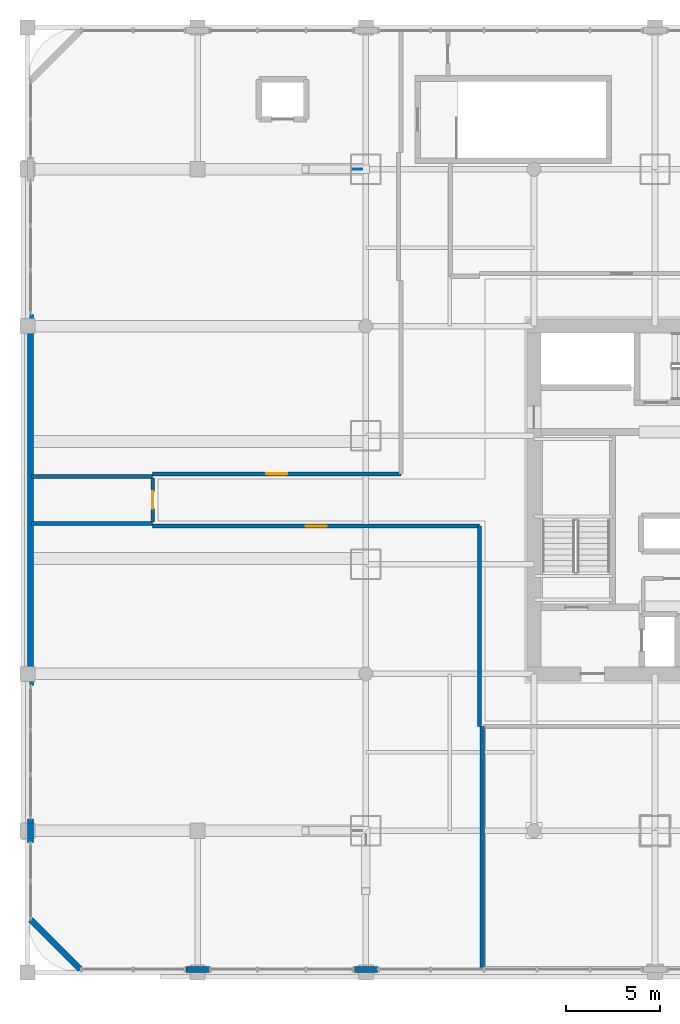
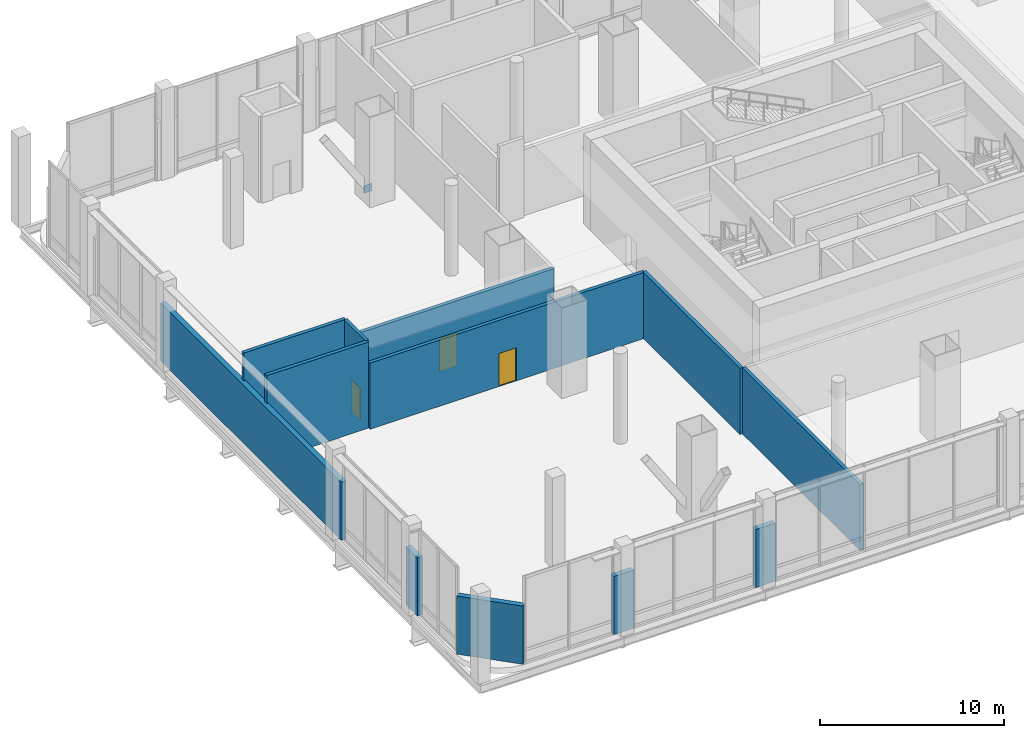
# One storey, part 26 of 38: 12 walls, 3 doors, 1 plate, 3 openings.
"""IFC4 building model written with IfcOpenShell, lengths in metres."""

from ifc_helpers import new_model, si_unit, direction, frame, frame_2d, origin, origin_2d, place, context, subcontext, project, spatial, rectangle, extrude, material, layer, layer_set, type_object, element, fill, save


model = new_model("IFC4")

# Units and contexts
model_context = context("Model", 3, precision=1e-05, world=origin(), true_north=direction((0.0, 1.0)))
body_context = subcontext(model_context, "Body", "Model", "MODEL_VIEW")
ifc_project = project(units=[si_unit("LENGTHUNIT", "METRE"), si_unit("AREAUNIT", "SQUARE_METRE"), si_unit("VOLUMEUNIT", "CUBIC_METRE"), si_unit("PLANEANGLEUNIT", "RADIAN"), si_unit("MASSUNIT", "GRAM", prefix="KILO")], contexts=[model_context])

# Site, building, storey
site_placement = place(None, origin())
site = spatial("IfcSite", under=ifc_project, at=site_placement, CompositionType="ELEMENT")
building_placement = place(site_placement, origin())
building = spatial("IfcBuilding", under=site, at=building_placement, Name="Punatoya Terracotta Tower", CompositionType="ELEMENT")
storey_placement = place(building_placement, frame((0.0, 0.0, 22.199951171875)))
storey = spatial("IfcBuildingStorey", under=building, at=storey_placement, Name="L04", CompositionType="ELEMENT", Elevation=22.199951171875)

# Plate
ifc_material_1 = material(Name="Steel S460", Category="steel")
ifc_layer_1 = layer(ifc_material_1, 0.031982421875)
ifc_layer_set_1 = layer_set([ifc_layer_1], Name="Steel S460")
plate_type = type_object("IfcPlateType", Name="PLT-END-32", PredefinedType="USERDEFINED", material=ifc_layer_set_1)
plate_placement = place(storey_placement, frame((-19.548095703125, 17.5, 0.4560546875), z_axis=(0.0, 0.0, 1.0), x_axis=(1.0, 0.0, 0.0)))
element("IfcPlate", 1, at=plate_placement, inside=storey, type_object=plate_type, Name="L05 Knee-Strut Base Gusset Plate W2", ObjectType="FLANGE_PLATE", PredefinedType="USERDEFINED", context=body_context, shape_type="SweptSolid", body=[
    extrude(rectangle(XDim=0.5, YDim=0.031982421875, at=origin_2d()), origin(), (0.0, 0.0, 1.0), 0.5),
])

# Walls
ifc_material_2 = material(Name="Precast concrete C40/50", Category="concrete")
ifc_layer_2 = layer(ifc_material_2, 0.320068359375)
ifc_layer_set_2 = layer_set([ifc_layer_2], Name="Precast concrete C40/50")
wall_type_1 = type_object("IfcWallType", Name="WL-EXT-320", PredefinedType="SOLIDWALL", material=ifc_layer_set_2)
wall_1_placement = place(storey_placement, frame((-28.6201171875, -24.840087890625, 0.0), z_axis=(0.0, 0.0, 1.0), x_axis=(1.0, 0.0, 0.0)))
element("IfcWall", 2, at=wall_1_placement, inside=storey, type_object=wall_type_1, Name="L04 South Column Cladding Pier 1", PredefinedType="SOLIDWALL", context=body_context, shape_type="SweptSolid", body=[
    extrude(rectangle(XDim=1.240234375, YDim=0.320068359375, at=frame_2d((0.6201171875, 0.0))), origin(), (0.0, 0.0, 1.0), 3.864013671875),
])
wall_2_placement = place(storey_placement, frame((-19.719970703125, -24.840087890625, 0.0), z_axis=(0.0, 0.0, 1.0), x_axis=(1.0, 0.0, 0.0)))
element("IfcWall", 3, at=wall_2_placement, inside=storey, type_object=wall_type_1, Name="L04 South Column Cladding Pier 2", PredefinedType="SOLIDWALL", context=body_context, shape_type="SweptSolid", body=[
    extrude(rectangle(XDim=1.239990234375, YDim=0.320068359375, at=frame_2d((0.6201171875, 0.0))), origin(), (0.0, 0.0, 1.0), 3.864013671875),
])
wall_3_placement = place(storey_placement, frame((-36.840087890625, -9.820068359375, 0.0), z_axis=(0.0, 0.0, 1.0), x_axis=(0.0, 1.0, 0.0)))
element("IfcWall", 4, at=wall_3_placement, inside=storey, type_object=wall_type_1, Name="L04 West Braced Terracotta Shear Wall", PredefinedType="SOLIDWALL", context=body_context, shape_type="SweptSolid", body=[
    extrude(rectangle(XDim=19.64013671875, YDim=0.320068359375, at=frame_2d((9.820068359375, 0.0))), origin(), (0.0, 0.0, 1.0), 3.864013671875),
])
wall_4_placement = place(storey_placement, frame((-36.840087890625, -18.1201171875, 0.0), z_axis=(0.0, 0.0, 1.0), x_axis=(0.0, 1.0, 0.0)))
element("IfcWall", 5, at=wall_4_placement, inside=storey, type_object=wall_type_1, Name="L04 West Pier 1-B", PredefinedType="SOLIDWALL", context=body_context, shape_type="SweptSolid", body=[
    extrude(rectangle(XDim=1.240234375, YDim=0.320068359375, at=frame_2d((0.6201171875, 0.0))), origin(), (0.0, 0.0, 1.0), 3.864013671875),
])
wall_5_placement = place(storey_placement, frame((-34.199951171875, -24.840087890625, 0.0), z_axis=(0.0, 0.0, 1.0), x_axis=(-0.707106781187, 0.707106781187, 0.0)))
element("IfcWall", 6, at=wall_5_placement, inside=storey, type_object=wall_type_1, Name="L04 Terracotta Corner Pier 1", PredefinedType="SOLIDWALL", context=body_context, shape_type="SweptSolid", body=[
    extrude(rectangle(XDim=3.733642578125, YDim=0.320068359375, at=frame_2d((1.86669921875, 0.0))), origin(), (0.0, 0.0, 1.0), 3.864013671875),
])
ifc_material_3 = material(Name="Concrete C40/50", Category="concrete")
ifc_layer_3 = layer(ifc_material_3, 0.219970703125)
ifc_layer_set_3 = layer_set([ifc_layer_3], Name="Concrete C40/50")
wall_type_2 = type_object("IfcWallType", Name="WL-FIR-220", PredefinedType="SOLIDWALL", material=ifc_layer_set_3)
wall_6_placement = place(storey_placement, frame((-36.780029296875, -1.239990234375, 0.0), z_axis=(0.0, 0.0, 1.0), x_axis=(1.0, 0.0, 0.0)))
element("IfcWall", 7, at=wall_6_placement, inside=storey, type_object=wall_type_2, Name="L04 West Auditorium Transfer Truss Mechanical Plant Room Partition 08", PredefinedType="SOLIDWALL", context=body_context, shape_type="SweptSolid", body=[
    extrude(rectangle(XDim=6.400146484375, YDim=0.219970703125, at=frame_2d((3.2001953125, 0.0))), origin(), (0.0, 0.0, 1.0), 5.719970703125),
])

# Wall, opening, door
wall_7_placement = place(storey_placement, frame((-30.3798828125, -1.3798828125, 0.0), z_axis=(0.0, 0.0, 1.0), x_axis=(1.0, 0.0, 0.0)))
wall_7 = element("IfcWall", 8, at=wall_7_placement, inside=storey, type_object=wall_type_2, Name="L04 West Auditorium Transfer Truss Mechanical Plant Room Partition 09", PredefinedType="SOLIDWALL", context=body_context, shape_type="SweptSolid", body=[
    extrude(rectangle(XDim=17.2998046875, YDim=0.219970703125, at=frame_2d((8.64990234375, 0.0))), origin(), (0.0, 0.0, 1.0), 4.39404296875),
])
opening_1_placement = place(wall_7_placement, frame((8.10009765625, 0.0, 0.0)))
opening_1 = element("IfcOpeningElement", 9, at=opening_1_placement, cuts=wall_7, Name="Opening FD-P1", PredefinedType="OPENING", context=body_context, shape_type="SweptSolid", body=[
    extrude(rectangle(XDim=1.10009765625, YDim=2.199951171875, at=frame_2d((0.550048828125, 1.10009765625))), frame((0.0, 0.119873046875, 0.0), z_axis=(0.0, -1.0, 0.0), x_axis=(1.0, 0.0, 0.0)), (0.0, 0.0, 1.0), 0.239990234375),
])
ifc_material_4 = material(Name="Galvanised Steel Plant Fire Door", Category="steel")
door_type_1 = type_object("IfcDoorType", Name="DR-PLT-1100", OperationType="NOTDEFINED", PredefinedType="DOOR", material=ifc_material_4)
door_1_placement = place(opening_1_placement, origin())
door_1 = element("IfcDoor", 10, at=door_1_placement, inside=storey, type_object=door_type_1, Name="L04 West Auditorium Transfer Truss Mechanical Plant Room Fire Door", OperationType="SINGLE_SWING_RIGHT", OverallHeight=2.199951171875, OverallWidth=1.10009765625, PredefinedType="DOOR", context=body_context, shape_type="SweptSolid", body=[
    extrude(rectangle(XDim=1.10009765625, YDim=2.199951171875, at=frame_2d((0.550048828125, 1.10009765625))), frame((0.0, 0.02490234375, 0.0), z_axis=(0.0, -1.0, 0.0), x_axis=(1.0, 0.0, 0.0)), (0.0, 0.0, 1.0), 0.050048828125),
])
fill(opening_1, door_1)

# Walls
wall_8_placement = place(storey_placement, frame((-13.080078125, -1.3798828125, 0.0), z_axis=(0.0, 0.0, 1.0), x_axis=(0.0, -1.0, 0.0)))
element("IfcWall", 11, at=wall_8_placement, inside=storey, type_object=wall_type_2, Name="L04 West Auditorium Transfer Truss Mechanical Plant Room Partition 10", PredefinedType="SOLIDWALL", context=body_context, shape_type="SweptSolid", body=[
    extrude(rectangle(XDim=10.60009765625, YDim=0.219970703125, at=frame_2d((5.300048828125, 0.0))), origin(), (0.0, 0.0, 1.0), 4.39404296875),
])
wall_9_placement = place(storey_placement, frame((-12.93994140625, -11.97998046875, 0.0), z_axis=(0.0, 0.0, 1.0), x_axis=(0.0, -1.0, 0.0)))
element("IfcWall", 12, at=wall_9_placement, inside=storey, type_object=wall_type_2, Name="L04 West Auditorium Transfer Truss Mechanical Plant Room Partition 11", PredefinedType="SOLIDWALL", context=body_context, shape_type="SweptSolid", body=[
    extrude(rectangle(XDim=12.800048828125, YDim=0.219970703125, at=frame_2d((6.39990234375, 0.0))), origin(), (0.0, 0.0, 1.0), 4.39404296875),
])

# Wall, opening, door
wall_10_placement = place(storey_placement, frame((-17.239990234375, 1.3798828125, 0.0), z_axis=(0.0, 0.0, 1.0), x_axis=(-1.0, 0.0, 0.0)))
wall_10 = element("IfcWall", 13, at=wall_10_placement, inside=storey, type_object=wall_type_2, Name="L04 North-West Podium Air-Handling Plant Room Partition 15", PredefinedType="SOLIDWALL", context=body_context, shape_type="SweptSolid", body=[
    extrude(rectangle(XDim=13.139892578125, YDim=0.219970703125, at=frame_2d((6.56982421875, 0.0))), origin(), (0.0, 0.0, 1.0), 4.39404296875),
])
opening_2_placement = place(wall_10_placement, frame((6.02001953125, 0.0, 0.0)))
opening_2 = element("IfcOpeningElement", 14, at=opening_2_placement, cuts=wall_10, Name="Opening FD-P1", PredefinedType="OPENING", context=body_context, shape_type="SweptSolid", body=[
    extrude(rectangle(XDim=1.10009765625, YDim=2.199951171875, at=frame_2d((0.550048828125, 1.10009765625))), frame((0.0, 0.119873046875, 0.0), z_axis=(0.0, -1.0, 0.0), x_axis=(1.0, 0.0, 0.0)), (0.0, 0.0, 1.0), 0.239990234375),
])
door_2_placement = place(opening_2_placement, origin())
door_2 = element("IfcDoor", 15, at=door_2_placement, inside=storey, type_object=door_type_1, Name="L04 North-West Podium Air-Handling Plant Room Fire Door", OperationType="SINGLE_SWING_LEFT", OverallHeight=2.199951171875, OverallWidth=1.10009765625, PredefinedType="DOOR", context=body_context, shape_type="SweptSolid", body=[
    extrude(rectangle(XDim=1.10009765625, YDim=2.199951171875, at=frame_2d((0.550048828125, 1.10009765625))), frame((0.0, 0.02490234375, 0.0), z_axis=(0.0, -1.0, 0.0), x_axis=(1.0, 0.0, 0.0)), (0.0, 0.0, 1.0), 0.050048828125),
])
fill(opening_2, door_2)

# Wall
wall_11_placement = place(storey_placement, frame((-30.3798828125, 1.239990234375, 0.0), z_axis=(0.0, 0.0, 1.0), x_axis=(-1.0, 0.0, 0.0)))
element("IfcWall", 16, at=wall_11_placement, inside=storey, type_object=wall_type_2, Name="L04 North-West Podium Air-Handling Plant Room Partition 16", PredefinedType="SOLIDWALL", context=body_context, shape_type="SweptSolid", body=[
    extrude(rectangle(XDim=6.400146484375, YDim=0.219970703125, at=frame_2d((3.2001953125, 0.0))), origin(), (0.0, 0.0, 1.0), 5.719970703125),
])

# Wall, opening, door
ifc_layer_4 = layer(ifc_material_3, 0.199951171875)
ifc_layer_set_4 = layer_set([ifc_layer_4], Name="Concrete C40/50")
wall_type_3 = type_object("IfcWallType", Name="WL-INT-200", PredefinedType="SOLIDWALL", material=ifc_layer_set_4)
wall_12_placement = place(storey_placement, frame((-30.3798828125, 1.159912109375, 0.0), z_axis=(0.0, 0.0, 1.0), x_axis=(0.0, -1.0, 0.0)))
wall_12 = element("IfcWall", 17, at=wall_12_placement, inside=storey, type_object=wall_type_3, Name="L04 West Transfer Switchgear Room Partition 17", PredefinedType="SOLIDWALL", context=body_context, shape_type="SweptSolid", body=[
    extrude(rectangle(XDim=2.31982421875, YDim=0.199951171875, at=frame_2d((1.159912109375, 0.0))), origin(), (0.0, 0.0, 1.0), 5.719970703125),
])
opening_3_placement = place(wall_12_placement, frame((0.699951171875, 0.0, 0.0)))
opening_3 = element("IfcOpeningElement", 18, at=opening_3_placement, cuts=wall_12, Name="Opening FD-R1", PredefinedType="OPENING", context=body_context, shape_type="SweptSolid", body=[
    extrude(rectangle(XDim=0.919921875, YDim=2.10009765625, at=frame_2d((0.4599609375, 1.050048828125))), frame((0.0, 0.10986328125, 0.0), z_axis=(0.0, -1.0, 0.0), x_axis=(1.0, 0.0, 0.0)), (0.0, 0.0, 1.0), 0.219970703125),
])
ifc_material_5 = material(Name="Galvanised Steel Riser Fire Access Door", Category="steel")
door_type_2 = type_object("IfcDoorType", Name="DR-RSR-920", OperationType="NOTDEFINED", PredefinedType="DOOR", material=ifc_material_5)
door_3_placement = place(opening_3_placement, origin())
door_3 = element("IfcDoor", 19, at=door_3_placement, inside=storey, type_object=door_type_2, Name="L04 West Transfer Switchgear Room Fire Door", OperationType="SINGLE_SWING_RIGHT", OverallHeight=2.10009765625, OverallWidth=0.919921875, PredefinedType="DOOR", context=body_context, shape_type="SweptSolid", body=[
    extrude(rectangle(XDim=0.919921875, YDim=2.10009765625, at=frame_2d((0.4599609375, 1.050048828125))), frame((0.0, 0.02490234375, 0.0), z_axis=(0.0, -1.0, 0.0), x_axis=(1.0, 0.0, 0.0)), (0.0, 0.0, 1.0), 0.050048828125),
])
fill(opening_3, door_3)

save(model, "model.ifc")
